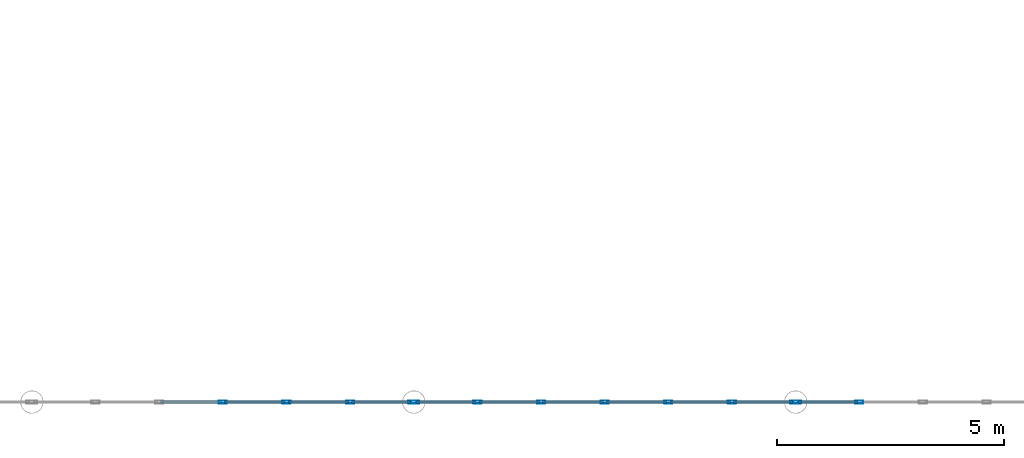
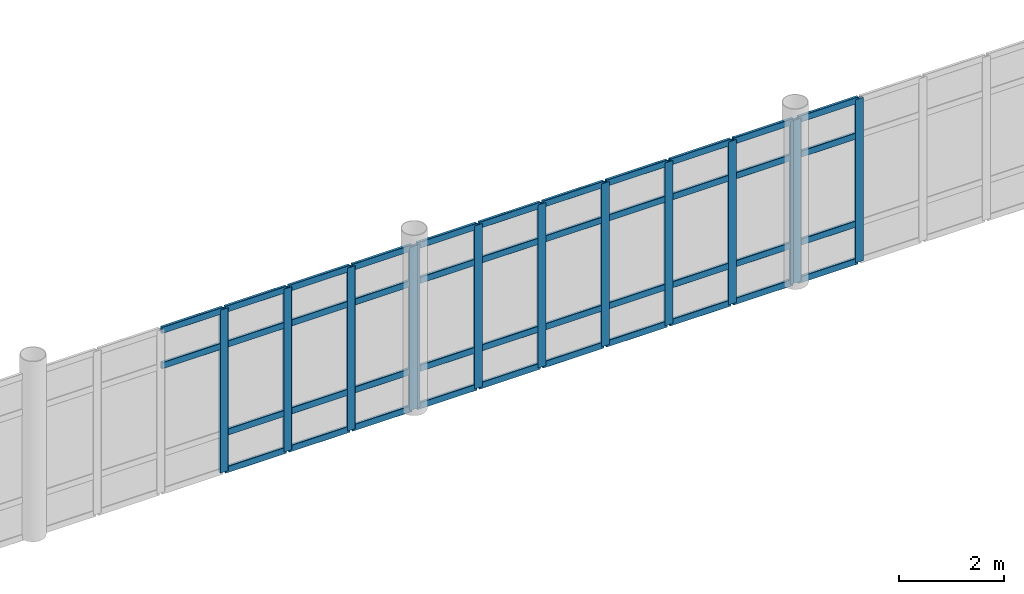
# One storey, part 59 of 163: 55 members, 3 elements without a shape of their own.
"""IFC4 building model written with IfcOpenShell, lengths in metres."""

import ifcopenshell
import ifcopenshell.guid

model = None  # the IFC model being written
_history = None  # IfcOwnerHistory: only IFC2X3 demands one
_inside = {}  # id of a spatial element -> (the spatial element, [elements in it])
_under = {}  # id of a project, library or spatial element -> (it, [spatial elements below it])
_declared = {}  # id of a project -> (the project, [libraries it declares])
_typed = {}  # id of a type object -> (the type object, [elements of that type])
_made_of = {}  # id of a material, layer set ... -> (it, [elements and type objects made of it])


def new_model(schema):
    """Start an empty IFC model of exactly this schema.

    Asked for "IFC4X3", IfcOpenShell would pick the latest addendum, in which some entities
    have other attributes; the version numbers below select the first issue.
    IFC2X3 requires an IfcOwnerHistory on every rooted entity: one is made here for all.
    """
    global model, _history
    if schema == "IFC4X3":
        model = ifcopenshell.file(schema_version=(4, 3, 0, 0))
    else:
        model = ifcopenshell.file(schema=schema)
    _inside.clear()
    _under.clear()
    _declared.clear()
    _typed.clear()
    _made_of.clear()
    _history = None
    if model.schema == "IFC2X3":
        org = make("IfcOrganization", Name="unknown")
        user = make(
            "IfcPersonAndOrganization",
            ThePerson=make("IfcPerson", FamilyName="unknown"),
            TheOrganization=org,
        )
        app = make(
            "IfcApplication",
            ApplicationDeveloper=org,
            Version="unknown",
            ApplicationFullName="unknown",
            ApplicationIdentifier="unknown",
        )
        _history = make(
            "IfcOwnerHistory",
            OwningUser=user,
            OwningApplication=app,
            ChangeAction="ADDED",
            CreationDate=0,
        )
    return model


def make(cls, **values):
    """One entity of the class cls with the attributes given. An attribute that is None is left unset."""
    return model.create_entity(
        cls, **{name: value for name, value in values.items() if value is not None}
    )


def rooted(cls, **values):
    """An entity with a GlobalId (a new one), such as an element, a storey or a relation."""
    return make(cls, GlobalId=ifcopenshell.guid.new(), OwnerHistory=_history, **values)


def si_unit(unit_type, name, prefix=None):
    """IfcSIUnit, for example si_unit("LENGTHUNIT", "METRE", prefix="MILLI")."""
    return make("IfcSIUnit", UnitType=unit_type, Prefix=prefix, Name=name)


def assignment(units):
    """IfcUnitAssignment: the units of a project."""
    return None if units is None else make("IfcUnitAssignment", Units=units)


def point(xyz):
    """IfcCartesianPoint."""
    return None if xyz is None else make("IfcCartesianPoint", Coordinates=xyz)


def direction(xyz):
    """IfcDirection."""
    return None if xyz is None else make("IfcDirection", DirectionRatios=xyz)


def frame(location, z_axis=None, x_axis=None):
    """IfcAxis2Placement3D, a coordinate frame: its origin and axes. An axis left out is left unset."""
    return make(
        "IfcAxis2Placement3D",
        Location=point(location),
        Axis=direction(z_axis),
        RefDirection=direction(x_axis),
    )


def frame_2d(location, x_axis=None):
    """IfcAxis2Placement2D, a coordinate frame in the plane: its origin and x axis."""
    return make(
        "IfcAxis2Placement2D", Location=point(location), RefDirection=direction(x_axis)
    )


def origin():
    """The frame at (0, 0, 0) with its axes left unset."""
    return frame((0.0, 0.0, 0.0))


def origin_2d():
    """The frame at (0, 0) in the plane with its x axis left unset."""
    return frame_2d((0.0, 0.0))


def place(relative_to, where):
    """IfcLocalPlacement: puts the frame where relative to a parent placement (None: the world)."""
    return make(
        "IfcLocalPlacement", PlacementRelTo=relative_to, RelativePlacement=where
    )


def context(
    kind, dimensions, precision=None, world=None, true_north=None, identifier=None
):
    """IfcGeometricRepresentationContext, for example the 3D "Model" context."""
    return make(
        "IfcGeometricRepresentationContext",
        ContextIdentifier=identifier,
        ContextType=kind,
        CoordinateSpaceDimension=dimensions,
        Precision=precision,
        WorldCoordinateSystem=world,
        TrueNorth=true_north,
    )


def subcontext(parent, identifier, kind, view, scale=None):
    """IfcGeometricRepresentationSubContext, for example "Body" below "Model"."""
    return make(
        "IfcGeometricRepresentationSubContext",
        ContextIdentifier=identifier,
        ContextType=kind,
        ParentContext=parent,
        TargetScale=scale,
        TargetView=view,
    )


def project(units=None, contexts=None):
    """IfcProject with its units and contexts."""
    return rooted(
        "IfcProject",
        Name="project",
        RepresentationContexts=contexts,
        UnitsInContext=assignment(units),
    )


def spatial(cls, under=None, at=None, **own):
    """A site, building, storey or space (cls), placed at a placement, below another one or the project."""
    s = rooted(cls, ObjectPlacement=at, **own)
    if under is not None:
        _under.setdefault(under.id(), (under, []))[1].append(s)
    return s


def profile(cls, at=None, kind="AREA", **sizes):
    """A parametric profile (cls). Its sizes go by their IFC names, for example OverallWidth=200.0."""
    return make(cls, ProfileType=kind, Position=at, **sizes)


def hollow_rectangle(**sizes):
    """IfcRectangleHollowProfileDef."""
    return profile("IfcRectangleHollowProfileDef", **sizes)


def extrude(swept, where, along, depth):
    """IfcExtrudedAreaSolid: the profile swept, set in the frame where, extruded along a direction by depth."""
    return make(
        "IfcExtrudedAreaSolid",
        SweptArea=swept,
        Position=where,
        ExtrudedDirection=direction(along),
        Depth=depth,
    )


def shape(context_of_items, identifier, shape_type, items):
    """IfcShapeRepresentation: the items that make up one representation, for example the "Body"."""
    return make(
        "IfcShapeRepresentation",
        ContextOfItems=context_of_items,
        RepresentationIdentifier=identifier,
        RepresentationType=shape_type,
        Items=items,
    )


def material(Name=None, Category=None):
    """IfcMaterial."""
    return make("IfcMaterial", Name=Name, Category=Category)


def layer(
    of_material, thickness, ventilated=None, Name=None, Category=None, Priority=None
):
    """IfcMaterialLayer: one layer of a wall or slab, of a material (None: an air gap)."""
    return make(
        "IfcMaterialLayer",
        Material=of_material,
        LayerThickness=thickness,
        IsVentilated=ventilated,
        Name=Name,
        Category=Category,
        Priority=Priority,
    )


def layer_set(layers, Name=None):
    """IfcMaterialLayerSet."""
    return make("IfcMaterialLayerSet", MaterialLayers=layers, LayerSetName=Name)


def material_profile(
    of_material, cross_section, Name=None, Category=None, Priority=None
):
    """IfcMaterialProfile: a cross section and its material."""
    return make(
        "IfcMaterialProfile",
        Name=Name,
        Material=of_material,
        Profile=cross_section,
        Priority=Priority,
        Category=Category,
    )


def profile_set(profiles, Name=None, composite=None):
    """IfcMaterialProfileSet."""
    return make(
        "IfcMaterialProfileSet",
        Name=Name,
        MaterialProfiles=profiles,
        CompositeProfile=composite,
    )


def made_of(thing, what):
    """Note that an element or type object is made of a material, layer set ...; save() writes the relation."""
    if what is not None:
        _made_of.setdefault(what.id(), (what, []))[1].append(thing)
    return thing


def type_object(cls, material=None, **own):
    """A type object (cls), such as IfcWallType, which elements share."""
    return made_of(rooted(cls, **own), material)


def element(
    cls,
    number,
    at=None,
    inside=None,
    cuts=None,
    type_object=None,
    material=None,
    context=None,
    identifier="Body",
    shape_type=None,
    held_by="IfcProductDefinitionShape",
    body=None,
    shapes=None,
    **own,
):
    """One element of the class cls, such as IfcWall. Its Tag is "e" and its number.

    at: its placement. inside: the storey or other place that contains it. cuts: it is an
    opening in that element (IfcRelVoidsElement). A single representation is given by context,
    identifier, shape_type and body (its items); several are given by shapes. held_by: the class
    of the entity that holds the representations. save() writes the other relations.
    """
    e = rooted(cls, Tag="e%d" % number, ObjectPlacement=at, **own)
    if body is not None:
        shapes = [shape(context, identifier, shape_type, body)]
    if shapes is not None:
        e.Representation = make(held_by, Representations=shapes)
    if inside is not None:
        _inside.setdefault(inside.id(), (inside, []))[1].append(e)
    if cuts is not None:
        rooted(
            "IfcRelVoidsElement", RelatingBuildingElement=cuts, RelatedOpeningElement=e
        )
    if type_object is not None:
        _typed.setdefault(type_object.id(), (type_object, []))[1].append(e)
    return made_of(e, material)


def aggregate(whole, parts):
    """IfcRelAggregates: a whole, such as a stair, and the parts it consists of."""
    return rooted("IfcRelAggregates", RelatingObject=whole, RelatedObjects=parts)


def save(model, path):
    """Write the relations noted so far, then the file.

    IfcRelAggregates (storeys below a building ...), IfcRelContainedInSpatialStructure (elements
    in a storey), IfcRelDefinesByType, IfcRelAssociatesMaterial and IfcRelDeclares: one each for
    every whole, place, type object, material and project.
    """
    for whole, parts in _under.values():
        aggregate(whole, parts)
    for where, things in _inside.values():
        rooted(
            "IfcRelContainedInSpatialStructure",
            RelatedElements=things,
            RelatingStructure=where,
        )
    for kind, things in _typed.values():
        rooted("IfcRelDefinesByType", RelatedObjects=things, RelatingType=kind)
    for what, things in _made_of.values():
        rooted("IfcRelAssociatesMaterial", RelatedObjects=things, RelatingMaterial=what)
    for by, libraries in _declared.values():
        rooted("IfcRelDeclares", RelatingContext=by, RelatedDefinitions=libraries)
    model.write(path)


model = new_model("IFC4")

# Units and contexts
model_context = context("Model", 3, precision=1e-05, world=origin(), true_north=direction((0.0, 1.0)))
body_context = subcontext(model_context, "Body", "Model", "MODEL_VIEW")
ifc_project = project(units=[si_unit("LENGTHUNIT", "METRE"), si_unit("AREAUNIT", "SQUARE_METRE"), si_unit("VOLUMEUNIT", "CUBIC_METRE"), si_unit("PLANEANGLEUNIT", "RADIAN"), si_unit("MASSUNIT", "GRAM", prefix="KILO")], contexts=[model_context])

# Site, building, storey
site_placement = place(None, origin())
site = spatial("IfcSite", under=ifc_project, at=site_placement, CompositionType="ELEMENT")
building_placement = place(site_placement, origin())
building = spatial("IfcBuilding", under=site, at=building_placement, Name="Qalvenar Corner Mobility Hub", CompositionType="ELEMENT")
storey_placement = place(building_placement, frame((0.0, 0.0, 4.800048828125)))
storey = spatial("IfcBuildingStorey", under=building, at=storey_placement, Name="L01", CompositionType="ELEMENT", Elevation=4.800048828125)

# Curtain wall, members
ifc_material_1 = material(Name="Anodised Aluminium and Low-E Glazing", Category="aluminium")
ifc_layer = layer(ifc_material_1, 0.179931640625)
ifc_layer_set = layer_set([ifc_layer], Name="Anodised Aluminium and Low-E Glazing")
curtain_wall_type = type_object("IfcCurtainWallType", Name="CW-CONC-84X42", PredefinedType="NOTDEFINED", material=ifc_layer_set)
curtain_wall_1_placement = place(storey_placement, origin())
curtain_wall_1 = element("IfcCurtainWall", 1, at=curtain_wall_1_placement, inside=storey, type_object=curtain_wall_type, Name="Glazed Curtain Wall CW-V1-L01-S3", PredefinedType="NOTDEFINED")
ifc_material_2 = material(Name="Anodised Aluminium 6063-T6", Category="aluminium")
ifc_material_profile_1 = material_profile(ifc_material_2, hollow_rectangle(XDim=0.06494140625, YDim=0.179931640625, WallThickness=0.00390625, InnerFilletRadius=0.00390625, OuterFilletRadius=0.008056640625, at=origin_2d()), Name="RHS180x65x4")
ifc_profile_set_1 = profile_set([ifc_material_profile_1], Name="Anodised Aluminium 6063-T6")
member_type_1 = type_object("IfcMemberType", Name="CW-MUL180", PredefinedType="MULLION", material=ifc_profile_set_1)
member_1_placement = place(storey_placement, frame((79.800048828125, 0.0, 0.0), z_axis=(0.0, 0.0, 1.0), x_axis=(0.0, 1.0, 0.0)))
member_1 = element("IfcMember", 2, at=member_1_placement, type_object=member_type_1, Name="CW-02 mullion 4", PredefinedType="MULLION", context=body_context, shape_type="SweptSolid", body=[
    extrude(hollow_rectangle(XDim=0.06494140625, YDim=0.179931640625, WallThickness=0.00390625, InnerFilletRadius=0.00390625, OuterFilletRadius=0.008056640625, at=origin_2d()), origin(), (0.0, 0.0, 1.0), 3.800048828125),
])
member_2_placement = place(storey_placement, frame((81.199951171875, 0.0, 0.0), z_axis=(0.0, 0.0, 1.0), x_axis=(0.0, 1.0, 0.0)))
member_2 = element("IfcMember", 3, at=member_2_placement, type_object=member_type_1, Name="CW-02 mullion 5", PredefinedType="MULLION", context=body_context, shape_type="SweptSolid", body=[
    extrude(hollow_rectangle(XDim=0.06494140625, YDim=0.179931640625, WallThickness=0.00390625, InnerFilletRadius=0.00390625, OuterFilletRadius=0.008056640625, at=origin_2d()), origin(), (0.0, 0.0, 1.0), 3.800048828125),
])
member_3_placement = place(storey_placement, frame((82.60009765625, 0.0, 0.0), z_axis=(0.0, 0.0, 1.0), x_axis=(0.0, 1.0, 0.0)))
member_3 = element("IfcMember", 4, at=member_3_placement, type_object=member_type_1, Name="CW-02 mullion 6", PredefinedType="MULLION", context=body_context, shape_type="SweptSolid", body=[
    extrude(hollow_rectangle(XDim=0.06494140625, YDim=0.179931640625, WallThickness=0.00390625, InnerFilletRadius=0.00390625, OuterFilletRadius=0.008056640625, at=origin_2d()), origin(), (0.0, 0.0, 1.0), 3.800048828125),
])
member_4_placement = place(storey_placement, frame((83.969970703125, 0.0, 0.0), z_axis=(0.0, 0.0, 1.0), x_axis=(0.0, 1.0, 0.0)))
member_4 = element("IfcMember", 5, at=member_4_placement, type_object=member_type_1, Name="CW-02 mullion 7", PredefinedType="MULLION", context=body_context, shape_type="SweptSolid", body=[
    extrude(hollow_rectangle(XDim=0.06494140625, YDim=0.179931640625, WallThickness=0.00390625, InnerFilletRadius=0.00390625, OuterFilletRadius=0.008056640625, at=origin_2d()), origin(), (0.0, 0.0, 1.0), 3.800048828125),
])

curtain_wall_2_placement = place(storey_placement, origin())
curtain_wall_2 = element("IfcCurtainWall", 6, at=curtain_wall_2_placement, inside=storey, type_object=curtain_wall_type, Name="Glazed Curtain Wall CW-V1-L01-S4", PredefinedType="NOTDEFINED")
member_5_placement = place(storey_placement, frame((84.030029296875, 0.0, 0.0), z_axis=(0.0, 0.0, 1.0), x_axis=(0.0, 1.0, 0.0)))
member_5 = element("IfcMember", 7, at=member_5_placement, type_object=member_type_1, Name="CW-02 mullion 1", PredefinedType="MULLION", context=body_context, shape_type="SweptSolid", body=[
    extrude(hollow_rectangle(XDim=0.06494140625, YDim=0.179931640625, WallThickness=0.00390625, InnerFilletRadius=0.00390625, OuterFilletRadius=0.008056640625, at=origin_2d()), origin(), (0.0, 0.0, 1.0), 3.800048828125),
])
member_6_placement = place(storey_placement, frame((85.39990234375, 0.0, 0.0), z_axis=(0.0, 0.0, 1.0), x_axis=(0.0, 1.0, 0.0)))
member_6 = element("IfcMember", 8, at=member_6_placement, type_object=member_type_1, Name="CW-02 mullion 2", PredefinedType="MULLION", context=body_context, shape_type="SweptSolid", body=[
    extrude(hollow_rectangle(XDim=0.06494140625, YDim=0.179931640625, WallThickness=0.00390625, InnerFilletRadius=0.00390625, OuterFilletRadius=0.008056640625, at=origin_2d()), origin(), (0.0, 0.0, 1.0), 3.800048828125),
])
member_7_placement = place(storey_placement, frame((86.800048828125, 0.0, 0.0), z_axis=(0.0, 0.0, 1.0), x_axis=(0.0, 1.0, 0.0)))
member_7 = element("IfcMember", 9, at=member_7_placement, type_object=member_type_1, Name="CW-02 mullion 3", PredefinedType="MULLION", context=body_context, shape_type="SweptSolid", body=[
    extrude(hollow_rectangle(XDim=0.06494140625, YDim=0.179931640625, WallThickness=0.00390625, InnerFilletRadius=0.00390625, OuterFilletRadius=0.008056640625, at=origin_2d()), origin(), (0.0, 0.0, 1.0), 3.800048828125),
])
member_8_placement = place(storey_placement, frame((88.199951171875, 0.0, 0.0), z_axis=(0.0, 0.0, 1.0), x_axis=(0.0, 1.0, 0.0)))
member_8 = element("IfcMember", 10, at=member_8_placement, type_object=member_type_1, Name="CW-02 mullion 4", PredefinedType="MULLION", context=body_context, shape_type="SweptSolid", body=[
    extrude(hollow_rectangle(XDim=0.06494140625, YDim=0.179931640625, WallThickness=0.00390625, InnerFilletRadius=0.00390625, OuterFilletRadius=0.008056640625, at=origin_2d()), origin(), (0.0, 0.0, 1.0), 3.800048828125),
])
member_9_placement = place(storey_placement, frame((89.60009765625, 0.0, 0.0), z_axis=(0.0, 0.0, 1.0), x_axis=(0.0, 1.0, 0.0)))
member_9 = element("IfcMember", 11, at=member_9_placement, type_object=member_type_1, Name="CW-02 mullion 5", PredefinedType="MULLION", context=body_context, shape_type="SweptSolid", body=[
    extrude(hollow_rectangle(XDim=0.06494140625, YDim=0.179931640625, WallThickness=0.00390625, InnerFilletRadius=0.00390625, OuterFilletRadius=0.008056640625, at=origin_2d()), origin(), (0.0, 0.0, 1.0), 3.800048828125),
])
member_10_placement = place(storey_placement, frame((91.0, 0.0, 0.0), z_axis=(0.0, 0.0, 1.0), x_axis=(0.0, 1.0, 0.0)))
member_10 = element("IfcMember", 12, at=member_10_placement, type_object=member_type_1, Name="CW-02 mullion 6", PredefinedType="MULLION", context=body_context, shape_type="SweptSolid", body=[
    extrude(hollow_rectangle(XDim=0.06494140625, YDim=0.179931640625, WallThickness=0.00390625, InnerFilletRadius=0.00390625, OuterFilletRadius=0.008056640625, at=origin_2d()), origin(), (0.0, 0.0, 1.0), 3.800048828125),
])
member_11_placement = place(storey_placement, frame((92.3701171875, 0.0, 0.0), z_axis=(0.0, 0.0, 1.0), x_axis=(0.0, 1.0, 0.0)))
member_11 = element("IfcMember", 13, at=member_11_placement, type_object=member_type_1, Name="CW-02 mullion 7", PredefinedType="MULLION", context=body_context, shape_type="SweptSolid", body=[
    extrude(hollow_rectangle(XDim=0.06494140625, YDim=0.179931640625, WallThickness=0.00390625, InnerFilletRadius=0.00390625, OuterFilletRadius=0.008056640625, at=origin_2d()), origin(), (0.0, 0.0, 1.0), 3.800048828125),
])

curtain_wall_3_placement = place(storey_placement, origin())
curtain_wall_3 = element("IfcCurtainWall", 14, at=curtain_wall_3_placement, inside=storey, type_object=curtain_wall_type, Name="Glazed Curtain Wall CW-V1-L01-S5", PredefinedType="NOTDEFINED")
member_12_placement = place(storey_placement, frame((92.429931640625, 0.0, 0.0), z_axis=(0.0, 0.0, 1.0), x_axis=(0.0, 1.0, 0.0)))
member_12 = element("IfcMember", 15, at=member_12_placement, type_object=member_type_1, Name="CW-02 mullion 1", PredefinedType="MULLION", context=body_context, shape_type="SweptSolid", body=[
    extrude(hollow_rectangle(XDim=0.06494140625, YDim=0.179931640625, WallThickness=0.00390625, InnerFilletRadius=0.00390625, OuterFilletRadius=0.008056640625, at=origin_2d()), origin(), (0.0, 0.0, 1.0), 3.800048828125),
])
member_13_placement = place(storey_placement, frame((93.800048828125, 0.0, 0.0), z_axis=(0.0, 0.0, 1.0), x_axis=(0.0, 1.0, 0.0)))
member_13 = element("IfcMember", 16, at=member_13_placement, type_object=member_type_1, Name="CW-02 mullion 2", PredefinedType="MULLION", context=body_context, shape_type="SweptSolid", body=[
    extrude(hollow_rectangle(XDim=0.06494140625, YDim=0.179931640625, WallThickness=0.00390625, InnerFilletRadius=0.00390625, OuterFilletRadius=0.008056640625, at=origin_2d()), origin(), (0.0, 0.0, 1.0), 3.800048828125),
])

# Member
ifc_material_profile_2 = material_profile(ifc_material_2, hollow_rectangle(XDim=0.06005859375, YDim=0.14990234375, WallThickness=0.00341796875, InnerFilletRadius=0.00341796875, OuterFilletRadius=0.007080078125, at=origin_2d()), Name="RHS150x60x3.5")
ifc_profile_set_2 = profile_set([ifc_material_profile_2], Name="Anodised Aluminium 6063-T6")
member_type_2 = type_object("IfcMemberType", Name="CW-TRN150", PredefinedType="USERDEFINED", material=ifc_profile_set_2)
member_14_placement = place(storey_placement, frame((78.429931640625, 0.0, 2.949951171875), z_axis=(1.0, 0.0, 0.0), x_axis=(0.0, 1.0, 0.0)))
member_14 = element("IfcMember", 17, at=member_14_placement, type_object=member_type_2, Name="CW-02 transom 3.3", ObjectType="TRANSOM", PredefinedType="USERDEFINED", context=body_context, shape_type="SweptSolid", body=[
    extrude(hollow_rectangle(XDim=0.06005859375, YDim=0.14990234375, WallThickness=0.00341796875, InnerFilletRadius=0.00341796875, OuterFilletRadius=0.007080078125, at=origin_2d()), origin(), (0.0, 0.0, 1.0), 1.340087890625),
])

member_15_placement = place(storey_placement, frame((78.429931640625, 0.0, 3.7724609375), z_axis=(1.0, 0.0, 0.0), x_axis=(0.0, 1.0, 0.0)))
member_15 = element("IfcMember", 18, at=member_15_placement, type_object=member_type_2, Name="CW-02 transom 3.4", ObjectType="TRANSOM", PredefinedType="USERDEFINED", context=body_context, shape_type="SweptSolid", body=[
    extrude(hollow_rectangle(XDim=0.06005859375, YDim=0.14990234375, WallThickness=0.00341796875, InnerFilletRadius=0.00341796875, OuterFilletRadius=0.007080078125, at=origin_2d()), origin(), (0.0, 0.0, 1.0), 1.340087890625),
])

member_16_placement = place(storey_placement, frame((79.830078125, 0.0, 0.02734375), z_axis=(1.0, 0.0, 0.0), x_axis=(0.0, 1.0, 0.0)))
member_16 = element("IfcMember", 19, at=member_16_placement, type_object=member_type_2, Name="CW-02 transom 4.1", ObjectType="TRANSOM", PredefinedType="USERDEFINED", context=body_context, shape_type="SweptSolid", body=[
    extrude(hollow_rectangle(XDim=0.06005859375, YDim=0.14990234375, WallThickness=0.00341796875, InnerFilletRadius=0.00341796875, OuterFilletRadius=0.007080078125, at=origin_2d()), origin(), (0.0, 0.0, 1.0), 1.33984375),
])

member_17_placement = place(storey_placement, frame((79.830078125, 0.0, 0.89990234375), z_axis=(1.0, 0.0, 0.0), x_axis=(0.0, 1.0, 0.0)))
member_17 = element("IfcMember", 20, at=member_17_placement, type_object=member_type_2, Name="CW-02 transom 4.2", ObjectType="TRANSOM", PredefinedType="USERDEFINED", context=body_context, shape_type="SweptSolid", body=[
    extrude(hollow_rectangle(XDim=0.06005859375, YDim=0.14990234375, WallThickness=0.00341796875, InnerFilletRadius=0.00341796875, OuterFilletRadius=0.007080078125, at=origin_2d()), origin(), (0.0, 0.0, 1.0), 1.33984375),
])

member_18_placement = place(storey_placement, frame((79.830078125, 0.0, 2.949951171875), z_axis=(1.0, 0.0, 0.0), x_axis=(0.0, 1.0, 0.0)))
member_18 = element("IfcMember", 21, at=member_18_placement, type_object=member_type_2, Name="CW-02 transom 4.3", ObjectType="TRANSOM", PredefinedType="USERDEFINED", context=body_context, shape_type="SweptSolid", body=[
    extrude(hollow_rectangle(XDim=0.06005859375, YDim=0.14990234375, WallThickness=0.00341796875, InnerFilletRadius=0.00341796875, OuterFilletRadius=0.007080078125, at=origin_2d()), origin(), (0.0, 0.0, 1.0), 1.33984375),
])

member_19_placement = place(storey_placement, frame((79.830078125, 0.0, 3.7724609375), z_axis=(1.0, 0.0, 0.0), x_axis=(0.0, 1.0, 0.0)))
member_19 = element("IfcMember", 22, at=member_19_placement, type_object=member_type_2, Name="CW-02 transom 4.4", ObjectType="TRANSOM", PredefinedType="USERDEFINED", context=body_context, shape_type="SweptSolid", body=[
    extrude(hollow_rectangle(XDim=0.06005859375, YDim=0.14990234375, WallThickness=0.00341796875, InnerFilletRadius=0.00341796875, OuterFilletRadius=0.007080078125, at=origin_2d()), origin(), (0.0, 0.0, 1.0), 1.33984375),
])

member_20_placement = place(storey_placement, frame((81.22998046875, 0.0, 0.02734375), z_axis=(1.0, 0.0, 0.0), x_axis=(0.0, 1.0, 0.0)))
member_20 = element("IfcMember", 23, at=member_20_placement, type_object=member_type_2, Name="CW-02 transom 5.1", ObjectType="TRANSOM", PredefinedType="USERDEFINED", context=body_context, shape_type="SweptSolid", body=[
    extrude(hollow_rectangle(XDim=0.06005859375, YDim=0.14990234375, WallThickness=0.00341796875, InnerFilletRadius=0.00341796875, OuterFilletRadius=0.007080078125, at=origin_2d()), origin(), (0.0, 0.0, 1.0), 1.340087890625),
])

member_21_placement = place(storey_placement, frame((81.22998046875, 0.0, 0.89990234375), z_axis=(1.0, 0.0, 0.0), x_axis=(0.0, 1.0, 0.0)))
member_21 = element("IfcMember", 24, at=member_21_placement, type_object=member_type_2, Name="CW-02 transom 5.2", ObjectType="TRANSOM", PredefinedType="USERDEFINED", context=body_context, shape_type="SweptSolid", body=[
    extrude(hollow_rectangle(XDim=0.06005859375, YDim=0.14990234375, WallThickness=0.00341796875, InnerFilletRadius=0.00341796875, OuterFilletRadius=0.007080078125, at=origin_2d()), origin(), (0.0, 0.0, 1.0), 1.340087890625),
])

member_22_placement = place(storey_placement, frame((81.22998046875, 0.0, 2.949951171875), z_axis=(1.0, 0.0, 0.0), x_axis=(0.0, 1.0, 0.0)))
member_22 = element("IfcMember", 25, at=member_22_placement, type_object=member_type_2, Name="CW-02 transom 5.3", ObjectType="TRANSOM", PredefinedType="USERDEFINED", context=body_context, shape_type="SweptSolid", body=[
    extrude(hollow_rectangle(XDim=0.06005859375, YDim=0.14990234375, WallThickness=0.00341796875, InnerFilletRadius=0.00341796875, OuterFilletRadius=0.007080078125, at=origin_2d()), origin(), (0.0, 0.0, 1.0), 1.340087890625),
])

member_23_placement = place(storey_placement, frame((81.22998046875, 0.0, 3.7724609375), z_axis=(1.0, 0.0, 0.0), x_axis=(0.0, 1.0, 0.0)))
member_23 = element("IfcMember", 26, at=member_23_placement, type_object=member_type_2, Name="CW-02 transom 5.4", ObjectType="TRANSOM", PredefinedType="USERDEFINED", context=body_context, shape_type="SweptSolid", body=[
    extrude(hollow_rectangle(XDim=0.06005859375, YDim=0.14990234375, WallThickness=0.00341796875, InnerFilletRadius=0.00341796875, OuterFilletRadius=0.007080078125, at=origin_2d()), origin(), (0.0, 0.0, 1.0), 1.340087890625),
])

member_24_placement = place(storey_placement, frame((82.6298828125, 0.0, 0.02734375), z_axis=(1.0, 0.0, 0.0), x_axis=(0.0, 1.0, 0.0)))
member_24 = element("IfcMember", 27, at=member_24_placement, type_object=member_type_2, Name="CW-02 transom 6.1", ObjectType="TRANSOM", PredefinedType="USERDEFINED", context=body_context, shape_type="SweptSolid", body=[
    extrude(hollow_rectangle(XDim=0.06005859375, YDim=0.14990234375, WallThickness=0.00341796875, InnerFilletRadius=0.00341796875, OuterFilletRadius=0.007080078125, at=origin_2d()), origin(), (0.0, 0.0, 1.0), 1.31005859375),
])

member_25_placement = place(storey_placement, frame((82.6298828125, 0.0, 0.89990234375), z_axis=(1.0, 0.0, 0.0), x_axis=(0.0, 1.0, 0.0)))
member_25 = element("IfcMember", 28, at=member_25_placement, type_object=member_type_2, Name="CW-02 transom 6.2", ObjectType="TRANSOM", PredefinedType="USERDEFINED", context=body_context, shape_type="SweptSolid", body=[
    extrude(hollow_rectangle(XDim=0.06005859375, YDim=0.14990234375, WallThickness=0.00341796875, InnerFilletRadius=0.00341796875, OuterFilletRadius=0.007080078125, at=origin_2d()), origin(), (0.0, 0.0, 1.0), 1.31005859375),
])

member_26_placement = place(storey_placement, frame((82.6298828125, 0.0, 2.949951171875), z_axis=(1.0, 0.0, 0.0), x_axis=(0.0, 1.0, 0.0)))
member_26 = element("IfcMember", 29, at=member_26_placement, type_object=member_type_2, Name="CW-02 transom 6.3", ObjectType="TRANSOM", PredefinedType="USERDEFINED", context=body_context, shape_type="SweptSolid", body=[
    extrude(hollow_rectangle(XDim=0.06005859375, YDim=0.14990234375, WallThickness=0.00341796875, InnerFilletRadius=0.00341796875, OuterFilletRadius=0.007080078125, at=origin_2d()), origin(), (0.0, 0.0, 1.0), 1.31005859375),
])

member_27_placement = place(storey_placement, frame((82.6298828125, 0.0, 3.7724609375), z_axis=(1.0, 0.0, 0.0), x_axis=(0.0, 1.0, 0.0)))
member_27 = element("IfcMember", 30, at=member_27_placement, type_object=member_type_2, Name="CW-02 transom 6.4", ObjectType="TRANSOM", PredefinedType="USERDEFINED", context=body_context, shape_type="SweptSolid", body=[
    extrude(hollow_rectangle(XDim=0.06005859375, YDim=0.14990234375, WallThickness=0.00341796875, InnerFilletRadius=0.00341796875, OuterFilletRadius=0.007080078125, at=origin_2d()), origin(), (0.0, 0.0, 1.0), 1.31005859375),
])

aggregate(curtain_wall_1, [member_1, member_2, member_3, member_4, member_14, member_15, member_16, member_17, member_18, member_19, member_20, member_21, member_22, member_23, member_24, member_25, member_26, member_27])

member_28_placement = place(storey_placement, frame((84.06005859375, 0.0, 0.02734375), z_axis=(1.0, 0.0, 0.0), x_axis=(0.0, 1.0, 0.0)))
member_28 = element("IfcMember", 31, at=member_28_placement, type_object=member_type_2, Name="CW-02 transom 1.1", ObjectType="TRANSOM", PredefinedType="USERDEFINED", context=body_context, shape_type="SweptSolid", body=[
    extrude(hollow_rectangle(XDim=0.06005859375, YDim=0.14990234375, WallThickness=0.00341796875, InnerFilletRadius=0.00341796875, OuterFilletRadius=0.007080078125, at=origin_2d()), origin(), (0.0, 0.0, 1.0), 1.31005859375),
])

member_29_placement = place(storey_placement, frame((84.06005859375, 0.0, 0.89990234375), z_axis=(1.0, 0.0, 0.0), x_axis=(0.0, 1.0, 0.0)))
member_29 = element("IfcMember", 32, at=member_29_placement, type_object=member_type_2, Name="CW-02 transom 1.2", ObjectType="TRANSOM", PredefinedType="USERDEFINED", context=body_context, shape_type="SweptSolid", body=[
    extrude(hollow_rectangle(XDim=0.06005859375, YDim=0.14990234375, WallThickness=0.00341796875, InnerFilletRadius=0.00341796875, OuterFilletRadius=0.007080078125, at=origin_2d()), origin(), (0.0, 0.0, 1.0), 1.31005859375),
])

member_30_placement = place(storey_placement, frame((84.06005859375, 0.0, 2.949951171875), z_axis=(1.0, 0.0, 0.0), x_axis=(0.0, 1.0, 0.0)))
member_30 = element("IfcMember", 33, at=member_30_placement, type_object=member_type_2, Name="CW-02 transom 1.3", ObjectType="TRANSOM", PredefinedType="USERDEFINED", context=body_context, shape_type="SweptSolid", body=[
    extrude(hollow_rectangle(XDim=0.06005859375, YDim=0.14990234375, WallThickness=0.00341796875, InnerFilletRadius=0.00341796875, OuterFilletRadius=0.007080078125, at=origin_2d()), origin(), (0.0, 0.0, 1.0), 1.31005859375),
])

member_31_placement = place(storey_placement, frame((84.06005859375, 0.0, 3.7724609375), z_axis=(1.0, 0.0, 0.0), x_axis=(0.0, 1.0, 0.0)))
member_31 = element("IfcMember", 34, at=member_31_placement, type_object=member_type_2, Name="CW-02 transom 1.4", ObjectType="TRANSOM", PredefinedType="USERDEFINED", context=body_context, shape_type="SweptSolid", body=[
    extrude(hollow_rectangle(XDim=0.06005859375, YDim=0.14990234375, WallThickness=0.00341796875, InnerFilletRadius=0.00341796875, OuterFilletRadius=0.007080078125, at=origin_2d()), origin(), (0.0, 0.0, 1.0), 1.31005859375),
])

member_32_placement = place(storey_placement, frame((85.429931640625, 0.0, 0.02734375), z_axis=(1.0, 0.0, 0.0), x_axis=(0.0, 1.0, 0.0)))
member_32 = element("IfcMember", 35, at=member_32_placement, type_object=member_type_2, Name="CW-02 transom 2.1", ObjectType="TRANSOM", PredefinedType="USERDEFINED", context=body_context, shape_type="SweptSolid", body=[
    extrude(hollow_rectangle(XDim=0.06005859375, YDim=0.14990234375, WallThickness=0.00341796875, InnerFilletRadius=0.00341796875, OuterFilletRadius=0.007080078125, at=origin_2d()), origin(), (0.0, 0.0, 1.0), 1.340087890625),
])

member_33_placement = place(storey_placement, frame((85.429931640625, 0.0, 0.89990234375), z_axis=(1.0, 0.0, 0.0), x_axis=(0.0, 1.0, 0.0)))
member_33 = element("IfcMember", 36, at=member_33_placement, type_object=member_type_2, Name="CW-02 transom 2.2", ObjectType="TRANSOM", PredefinedType="USERDEFINED", context=body_context, shape_type="SweptSolid", body=[
    extrude(hollow_rectangle(XDim=0.06005859375, YDim=0.14990234375, WallThickness=0.00341796875, InnerFilletRadius=0.00341796875, OuterFilletRadius=0.007080078125, at=origin_2d()), origin(), (0.0, 0.0, 1.0), 1.340087890625),
])

member_34_placement = place(storey_placement, frame((85.429931640625, 0.0, 2.949951171875), z_axis=(1.0, 0.0, 0.0), x_axis=(0.0, 1.0, 0.0)))
member_34 = element("IfcMember", 37, at=member_34_placement, type_object=member_type_2, Name="CW-02 transom 2.3", ObjectType="TRANSOM", PredefinedType="USERDEFINED", context=body_context, shape_type="SweptSolid", body=[
    extrude(hollow_rectangle(XDim=0.06005859375, YDim=0.14990234375, WallThickness=0.00341796875, InnerFilletRadius=0.00341796875, OuterFilletRadius=0.007080078125, at=origin_2d()), origin(), (0.0, 0.0, 1.0), 1.340087890625),
])

member_35_placement = place(storey_placement, frame((85.429931640625, 0.0, 3.7724609375), z_axis=(1.0, 0.0, 0.0), x_axis=(0.0, 1.0, 0.0)))
member_35 = element("IfcMember", 38, at=member_35_placement, type_object=member_type_2, Name="CW-02 transom 2.4", ObjectType="TRANSOM", PredefinedType="USERDEFINED", context=body_context, shape_type="SweptSolid", body=[
    extrude(hollow_rectangle(XDim=0.06005859375, YDim=0.14990234375, WallThickness=0.00341796875, InnerFilletRadius=0.00341796875, OuterFilletRadius=0.007080078125, at=origin_2d()), origin(), (0.0, 0.0, 1.0), 1.340087890625),
])

member_36_placement = place(storey_placement, frame((86.830078125, 0.0, 0.02734375), z_axis=(1.0, 0.0, 0.0), x_axis=(0.0, 1.0, 0.0)))
member_36 = element("IfcMember", 39, at=member_36_placement, type_object=member_type_2, Name="CW-02 transom 3.1", ObjectType="TRANSOM", PredefinedType="USERDEFINED", context=body_context, shape_type="SweptSolid", body=[
    extrude(hollow_rectangle(XDim=0.06005859375, YDim=0.14990234375, WallThickness=0.00341796875, InnerFilletRadius=0.00341796875, OuterFilletRadius=0.007080078125, at=origin_2d()), origin(), (0.0, 0.0, 1.0), 1.33984375),
])

member_37_placement = place(storey_placement, frame((86.830078125, 0.0, 0.89990234375), z_axis=(1.0, 0.0, 0.0), x_axis=(0.0, 1.0, 0.0)))
member_37 = element("IfcMember", 40, at=member_37_placement, type_object=member_type_2, Name="CW-02 transom 3.2", ObjectType="TRANSOM", PredefinedType="USERDEFINED", context=body_context, shape_type="SweptSolid", body=[
    extrude(hollow_rectangle(XDim=0.06005859375, YDim=0.14990234375, WallThickness=0.00341796875, InnerFilletRadius=0.00341796875, OuterFilletRadius=0.007080078125, at=origin_2d()), origin(), (0.0, 0.0, 1.0), 1.33984375),
])

member_38_placement = place(storey_placement, frame((86.830078125, 0.0, 2.949951171875), z_axis=(1.0, 0.0, 0.0), x_axis=(0.0, 1.0, 0.0)))
member_38 = element("IfcMember", 41, at=member_38_placement, type_object=member_type_2, Name="CW-02 transom 3.3", ObjectType="TRANSOM", PredefinedType="USERDEFINED", context=body_context, shape_type="SweptSolid", body=[
    extrude(hollow_rectangle(XDim=0.06005859375, YDim=0.14990234375, WallThickness=0.00341796875, InnerFilletRadius=0.00341796875, OuterFilletRadius=0.007080078125, at=origin_2d()), origin(), (0.0, 0.0, 1.0), 1.33984375),
])

member_39_placement = place(storey_placement, frame((86.830078125, 0.0, 3.7724609375), z_axis=(1.0, 0.0, 0.0), x_axis=(0.0, 1.0, 0.0)))
member_39 = element("IfcMember", 42, at=member_39_placement, type_object=member_type_2, Name="CW-02 transom 3.4", ObjectType="TRANSOM", PredefinedType="USERDEFINED", context=body_context, shape_type="SweptSolid", body=[
    extrude(hollow_rectangle(XDim=0.06005859375, YDim=0.14990234375, WallThickness=0.00341796875, InnerFilletRadius=0.00341796875, OuterFilletRadius=0.007080078125, at=origin_2d()), origin(), (0.0, 0.0, 1.0), 1.33984375),
])

member_40_placement = place(storey_placement, frame((88.22998046875, 0.0, 0.02734375), z_axis=(1.0, 0.0, 0.0), x_axis=(0.0, 1.0, 0.0)))
member_40 = element("IfcMember", 43, at=member_40_placement, type_object=member_type_2, Name="CW-02 transom 4.1", ObjectType="TRANSOM", PredefinedType="USERDEFINED", context=body_context, shape_type="SweptSolid", body=[
    extrude(hollow_rectangle(XDim=0.06005859375, YDim=0.14990234375, WallThickness=0.00341796875, InnerFilletRadius=0.00341796875, OuterFilletRadius=0.007080078125, at=origin_2d()), origin(), (0.0, 0.0, 1.0), 1.340087890625),
])

member_41_placement = place(storey_placement, frame((88.22998046875, 0.0, 0.89990234375), z_axis=(1.0, 0.0, 0.0), x_axis=(0.0, 1.0, 0.0)))
member_41 = element("IfcMember", 44, at=member_41_placement, type_object=member_type_2, Name="CW-02 transom 4.2", ObjectType="TRANSOM", PredefinedType="USERDEFINED", context=body_context, shape_type="SweptSolid", body=[
    extrude(hollow_rectangle(XDim=0.06005859375, YDim=0.14990234375, WallThickness=0.00341796875, InnerFilletRadius=0.00341796875, OuterFilletRadius=0.007080078125, at=origin_2d()), origin(), (0.0, 0.0, 1.0), 1.340087890625),
])

member_42_placement = place(storey_placement, frame((88.22998046875, 0.0, 2.949951171875), z_axis=(1.0, 0.0, 0.0), x_axis=(0.0, 1.0, 0.0)))
member_42 = element("IfcMember", 45, at=member_42_placement, type_object=member_type_2, Name="CW-02 transom 4.3", ObjectType="TRANSOM", PredefinedType="USERDEFINED", context=body_context, shape_type="SweptSolid", body=[
    extrude(hollow_rectangle(XDim=0.06005859375, YDim=0.14990234375, WallThickness=0.00341796875, InnerFilletRadius=0.00341796875, OuterFilletRadius=0.007080078125, at=origin_2d()), origin(), (0.0, 0.0, 1.0), 1.340087890625),
])

member_43_placement = place(storey_placement, frame((88.22998046875, 0.0, 3.7724609375), z_axis=(1.0, 0.0, 0.0), x_axis=(0.0, 1.0, 0.0)))
member_43 = element("IfcMember", 46, at=member_43_placement, type_object=member_type_2, Name="CW-02 transom 4.4", ObjectType="TRANSOM", PredefinedType="USERDEFINED", context=body_context, shape_type="SweptSolid", body=[
    extrude(hollow_rectangle(XDim=0.06005859375, YDim=0.14990234375, WallThickness=0.00341796875, InnerFilletRadius=0.00341796875, OuterFilletRadius=0.007080078125, at=origin_2d()), origin(), (0.0, 0.0, 1.0), 1.340087890625),
])

member_44_placement = place(storey_placement, frame((89.6298828125, 0.0, 0.02734375), z_axis=(1.0, 0.0, 0.0), x_axis=(0.0, 1.0, 0.0)))
member_44 = element("IfcMember", 47, at=member_44_placement, type_object=member_type_2, Name="CW-02 transom 5.1", ObjectType="TRANSOM", PredefinedType="USERDEFINED", context=body_context, shape_type="SweptSolid", body=[
    extrude(hollow_rectangle(XDim=0.06005859375, YDim=0.14990234375, WallThickness=0.00341796875, InnerFilletRadius=0.00341796875, OuterFilletRadius=0.007080078125, at=origin_2d()), origin(), (0.0, 0.0, 1.0), 1.340087890625),
])

member_45_placement = place(storey_placement, frame((89.6298828125, 0.0, 0.89990234375), z_axis=(1.0, 0.0, 0.0), x_axis=(0.0, 1.0, 0.0)))
member_45 = element("IfcMember", 48, at=member_45_placement, type_object=member_type_2, Name="CW-02 transom 5.2", ObjectType="TRANSOM", PredefinedType="USERDEFINED", context=body_context, shape_type="SweptSolid", body=[
    extrude(hollow_rectangle(XDim=0.06005859375, YDim=0.14990234375, WallThickness=0.00341796875, InnerFilletRadius=0.00341796875, OuterFilletRadius=0.007080078125, at=origin_2d()), origin(), (0.0, 0.0, 1.0), 1.340087890625),
])

member_46_placement = place(storey_placement, frame((89.6298828125, 0.0, 2.949951171875), z_axis=(1.0, 0.0, 0.0), x_axis=(0.0, 1.0, 0.0)))
member_46 = element("IfcMember", 49, at=member_46_placement, type_object=member_type_2, Name="CW-02 transom 5.3", ObjectType="TRANSOM", PredefinedType="USERDEFINED", context=body_context, shape_type="SweptSolid", body=[
    extrude(hollow_rectangle(XDim=0.06005859375, YDim=0.14990234375, WallThickness=0.00341796875, InnerFilletRadius=0.00341796875, OuterFilletRadius=0.007080078125, at=origin_2d()), origin(), (0.0, 0.0, 1.0), 1.340087890625),
])

member_47_placement = place(storey_placement, frame((89.6298828125, 0.0, 3.7724609375), z_axis=(1.0, 0.0, 0.0), x_axis=(0.0, 1.0, 0.0)))
member_47 = element("IfcMember", 50, at=member_47_placement, type_object=member_type_2, Name="CW-02 transom 5.4", ObjectType="TRANSOM", PredefinedType="USERDEFINED", context=body_context, shape_type="SweptSolid", body=[
    extrude(hollow_rectangle(XDim=0.06005859375, YDim=0.14990234375, WallThickness=0.00341796875, InnerFilletRadius=0.00341796875, OuterFilletRadius=0.007080078125, at=origin_2d()), origin(), (0.0, 0.0, 1.0), 1.340087890625),
])

member_48_placement = place(storey_placement, frame((91.030029296875, 0.0, 0.02734375), z_axis=(1.0, 0.0, 0.0), x_axis=(0.0, 1.0, 0.0)))
member_48 = element("IfcMember", 51, at=member_48_placement, type_object=member_type_2, Name="CW-02 transom 6.1", ObjectType="TRANSOM", PredefinedType="USERDEFINED", context=body_context, shape_type="SweptSolid", body=[
    extrude(hollow_rectangle(XDim=0.06005859375, YDim=0.14990234375, WallThickness=0.00341796875, InnerFilletRadius=0.00341796875, OuterFilletRadius=0.007080078125, at=origin_2d()), origin(), (0.0, 0.0, 1.0), 1.31005859375),
])

member_49_placement = place(storey_placement, frame((91.030029296875, 0.0, 0.89990234375), z_axis=(1.0, 0.0, 0.0), x_axis=(0.0, 1.0, 0.0)))
member_49 = element("IfcMember", 52, at=member_49_placement, type_object=member_type_2, Name="CW-02 transom 6.2", ObjectType="TRANSOM", PredefinedType="USERDEFINED", context=body_context, shape_type="SweptSolid", body=[
    extrude(hollow_rectangle(XDim=0.06005859375, YDim=0.14990234375, WallThickness=0.00341796875, InnerFilletRadius=0.00341796875, OuterFilletRadius=0.007080078125, at=origin_2d()), origin(), (0.0, 0.0, 1.0), 1.31005859375),
])

member_50_placement = place(storey_placement, frame((91.030029296875, 0.0, 2.949951171875), z_axis=(1.0, 0.0, 0.0), x_axis=(0.0, 1.0, 0.0)))
member_50 = element("IfcMember", 53, at=member_50_placement, type_object=member_type_2, Name="CW-02 transom 6.3", ObjectType="TRANSOM", PredefinedType="USERDEFINED", context=body_context, shape_type="SweptSolid", body=[
    extrude(hollow_rectangle(XDim=0.06005859375, YDim=0.14990234375, WallThickness=0.00341796875, InnerFilletRadius=0.00341796875, OuterFilletRadius=0.007080078125, at=origin_2d()), origin(), (0.0, 0.0, 1.0), 1.31005859375),
])

member_51_placement = place(storey_placement, frame((91.030029296875, 0.0, 3.7724609375), z_axis=(1.0, 0.0, 0.0), x_axis=(0.0, 1.0, 0.0)))
member_51 = element("IfcMember", 54, at=member_51_placement, type_object=member_type_2, Name="CW-02 transom 6.4", ObjectType="TRANSOM", PredefinedType="USERDEFINED", context=body_context, shape_type="SweptSolid", body=[
    extrude(hollow_rectangle(XDim=0.06005859375, YDim=0.14990234375, WallThickness=0.00341796875, InnerFilletRadius=0.00341796875, OuterFilletRadius=0.007080078125, at=origin_2d()), origin(), (0.0, 0.0, 1.0), 1.31005859375),
])

aggregate(curtain_wall_2, [member_5, member_6, member_7, member_8, member_9, member_10, member_11, member_28, member_29, member_30, member_31, member_32, member_33, member_34, member_35, member_36, member_37, member_38, member_39, member_40, member_41, member_42, member_43, member_44, member_45, member_46, member_47, member_48, member_49, member_50, member_51])

member_52_placement = place(storey_placement, frame((92.4599609375, 0.0, 0.02734375), z_axis=(1.0, 0.0, 0.0), x_axis=(0.0, 1.0, 0.0)))
member_52 = element("IfcMember", 55, at=member_52_placement, type_object=member_type_2, Name="CW-02 transom 1.1", ObjectType="TRANSOM", PredefinedType="USERDEFINED", context=body_context, shape_type="SweptSolid", body=[
    extrude(hollow_rectangle(XDim=0.06005859375, YDim=0.14990234375, WallThickness=0.00341796875, InnerFilletRadius=0.00341796875, OuterFilletRadius=0.007080078125, at=origin_2d()), origin(), (0.0, 0.0, 1.0), 1.31005859375),
])

member_53_placement = place(storey_placement, frame((92.4599609375, 0.0, 0.89990234375), z_axis=(1.0, 0.0, 0.0), x_axis=(0.0, 1.0, 0.0)))
member_53 = element("IfcMember", 56, at=member_53_placement, type_object=member_type_2, Name="CW-02 transom 1.2", ObjectType="TRANSOM", PredefinedType="USERDEFINED", context=body_context, shape_type="SweptSolid", body=[
    extrude(hollow_rectangle(XDim=0.06005859375, YDim=0.14990234375, WallThickness=0.00341796875, InnerFilletRadius=0.00341796875, OuterFilletRadius=0.007080078125, at=origin_2d()), origin(), (0.0, 0.0, 1.0), 1.31005859375),
])

member_54_placement = place(storey_placement, frame((92.4599609375, 0.0, 2.949951171875), z_axis=(1.0, 0.0, 0.0), x_axis=(0.0, 1.0, 0.0)))
member_54 = element("IfcMember", 57, at=member_54_placement, type_object=member_type_2, Name="CW-02 transom 1.3", ObjectType="TRANSOM", PredefinedType="USERDEFINED", context=body_context, shape_type="SweptSolid", body=[
    extrude(hollow_rectangle(XDim=0.06005859375, YDim=0.14990234375, WallThickness=0.00341796875, InnerFilletRadius=0.00341796875, OuterFilletRadius=0.007080078125, at=origin_2d()), origin(), (0.0, 0.0, 1.0), 1.31005859375),
])

member_55_placement = place(storey_placement, frame((92.4599609375, 0.0, 3.7724609375), z_axis=(1.0, 0.0, 0.0), x_axis=(0.0, 1.0, 0.0)))
member_55 = element("IfcMember", 58, at=member_55_placement, type_object=member_type_2, Name="CW-02 transom 1.4", ObjectType="TRANSOM", PredefinedType="USERDEFINED", context=body_context, shape_type="SweptSolid", body=[
    extrude(hollow_rectangle(XDim=0.06005859375, YDim=0.14990234375, WallThickness=0.00341796875, InnerFilletRadius=0.00341796875, OuterFilletRadius=0.007080078125, at=origin_2d()), origin(), (0.0, 0.0, 1.0), 1.31005859375),
])

aggregate(curtain_wall_3, [member_12, member_13, member_52, member_53, member_54, member_55])

save(model, "model.ifc")
